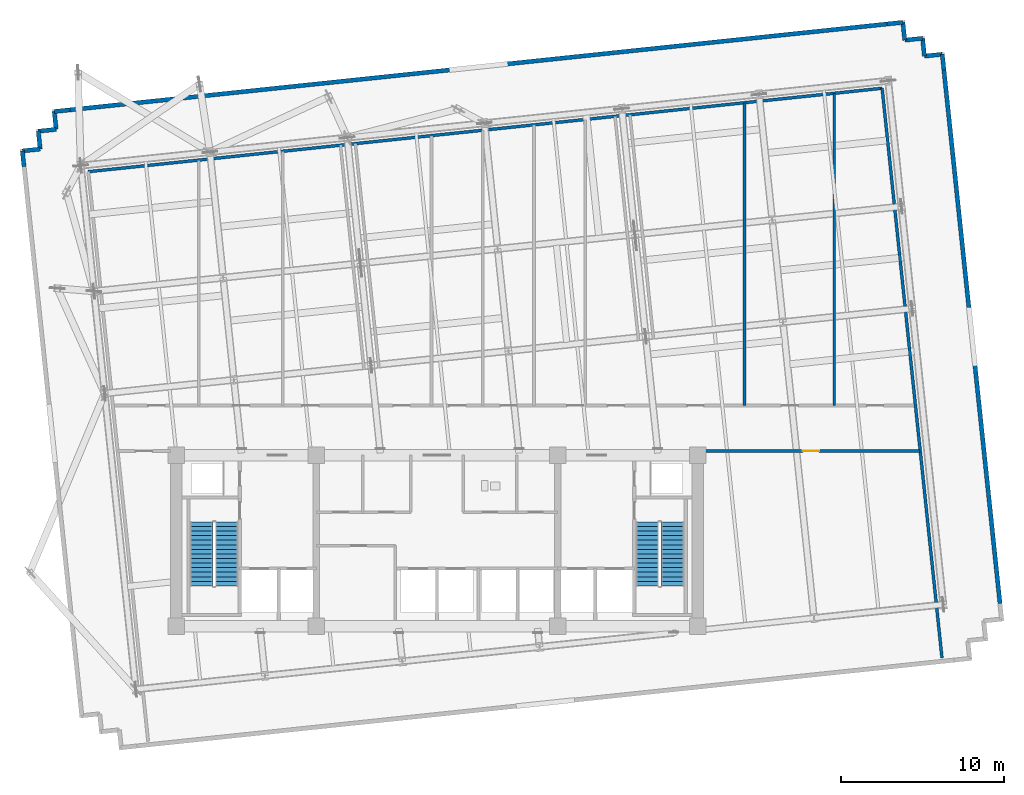
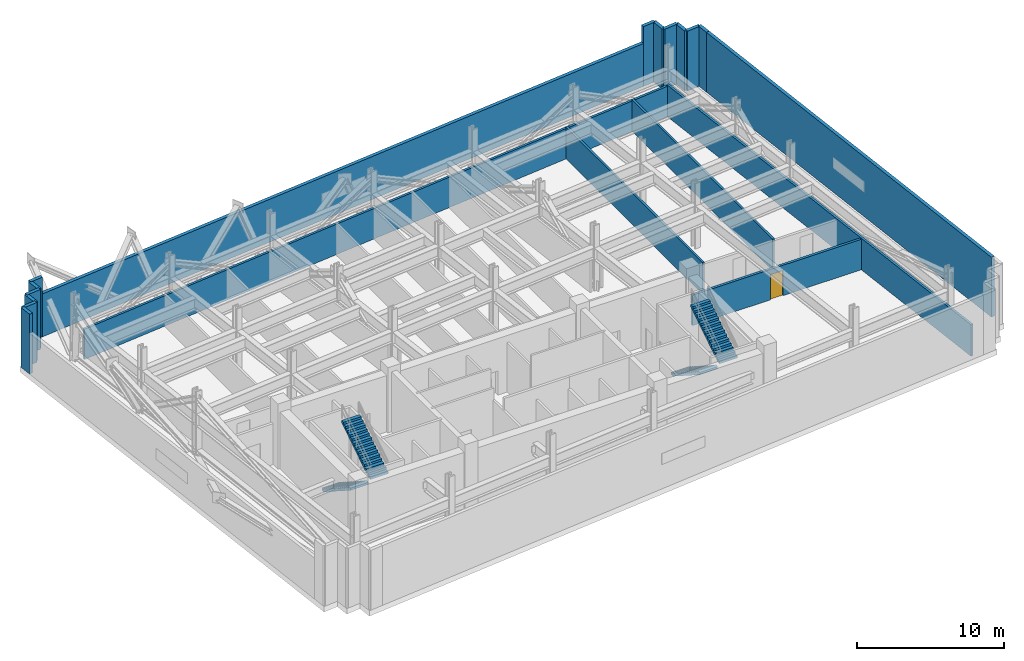
# One storey, part 8 of 11: 19 walls, 4 stair flights, 1 door, 1 opening, 2 elements without a shape of their own.
"""IFC4 building model written with IfcOpenShell, lengths in metres."""

from ifc_helpers import new_model, si_unit, direction, frame, frame_2d, origin, place, context, subcontext, project, spatial, polyline, rectangle, outline, extrude, material, layer, layer_set, type_object, element, fill, aggregate, save


model = new_model("IFC4")

# Units and contexts
model_context = context("Model", 3, precision=1e-05, world=origin(), true_north=direction((0.0, 1.0)))
body_context = subcontext(model_context, "Body", "Model", "MODEL_VIEW")
ifc_project = project(units=[si_unit("LENGTHUNIT", "METRE"), si_unit("AREAUNIT", "SQUARE_METRE"), si_unit("VOLUMEUNIT", "CUBIC_METRE"), si_unit("PLANEANGLEUNIT", "RADIAN"), si_unit("MASSUNIT", "GRAM", prefix="KILO")], contexts=[model_context])

# Site, building, storey
site_placement = place(None, origin())
site = spatial("IfcSite", under=ifc_project, at=site_placement, CompositionType="ELEMENT")
building_placement = place(site_placement, origin())
building = spatial("IfcBuilding", under=site, at=building_placement, Name="Solmavex Isthmus Hotel", CompositionType="ELEMENT")
storey_placement = place(building_placement, frame((0.0, 0.0, 130.5)))
storey = spatial("IfcBuildingStorey", under=building, at=storey_placement, Name="L35", CompositionType="ELEMENT", Elevation=130.5)

# Walls
ifc_material_1 = material(Name="Precast Concrete C40/50", Category="concrete")
ifc_layer_1 = layer(ifc_material_1, 0.260009765625)
ifc_layer_set_1 = layer_set([ifc_layer_1], Name="Precast Concrete C40/50")
wall_type_1 = type_object("IfcWallType", Name="EW-CRN-260", PredefinedType="STANDARD", material=ifc_layer_set_1)
wall_1_placement = place(storey_placement, frame((-25.333984375, 15.1943359375, 0.0), z_axis=(0.0, 0.0, 1.0), x_axis=(-0.104684784518, 0.994505452921, 0.0)))
element("IfcWall", 1, at=wall_1_placement, inside=storey, type_object=wall_type_1, Name="Plant Acoustic Louvre Enclosure Wall L35-08", PredefinedType="STANDARD", context=body_context, shape_type="SweptSolid", body=[
    extrude(rectangle(XDim=0.97021484375, YDim=0.260009765625, at=frame_2d((0.485107421875, 0.0))), origin(), (0.0, 0.0, 1.0), 4.949951171875),
])
for number, where, z_axis, x_axis, name in (
    (2, (-25.435546875, 16.1591796875, 0.0), (0.0, 0.0, 1.0), (0.994521251134, 0.104534592565, 0.0), "Plant Acoustic Louvre Enclosure Wall L35-09"),
    (3, (-24.341552734375, 16.274169921875, 0.0), (0.0, 0.0, 1.0), (-0.104534592565, 0.994521251134, 0.0), "Plant Acoustic Louvre Enclosure Wall L35-10"),
    (4, (-24.45654296875, 17.3681640625, 0.0), (0.0, 0.0, 1.0), (0.994521251134, 0.104534592565, 0.0), "Plant Acoustic Louvre Enclosure Wall L35-11"),
):
    element("IfcWall", number, at=place(storey_placement, frame(where, z_axis=z_axis, x_axis=x_axis)), inside=storey, type_object=wall_type_1, Name=name, PredefinedType="STANDARD", context=body_context, shape_type="SweptSolid", body=[
        extrude(rectangle(XDim=1.10009765625, YDim=0.260009765625, at=frame_2d((0.550048828125, 0.0))), origin(), (0.0, 0.0, 1.0), 4.949951171875),
    ])
wall_2_placement = place(storey_placement, frame((-23.362548828125, 17.483154296875, 0.0), z_axis=(0.0, 0.0, 1.0), x_axis=(-0.104557671117, 0.994518825066, 0.0)))
element("IfcWall", 5, at=wall_2_placement, inside=storey, type_object=wall_type_1, Name="Plant Acoustic Louvre Enclosure Wall L35-12", PredefinedType="STANDARD", context=body_context, shape_type="SweptSolid", body=[
    extrude(rectangle(XDim=1.099853515625, YDim=0.260009765625, at=frame_2d((0.5498046875, 0.0))), origin(), (0.0, 0.0, 1.0), 4.949951171875),
])
wall_3_placement = place(storey_placement, frame((-23.4775390625, 18.576904296875, 0.0), z_axis=(0.0, 0.0, 1.0), x_axis=(0.994505452921, 0.104684784518, 0.0)))
element("IfcWall", 6, at=wall_3_placement, inside=storey, type_object=wall_type_1, Name="Plant Acoustic Louvre Enclosure Wall L35-13", PredefinedType="STANDARD", context=body_context, shape_type="SweptSolid", body=[
    extrude(rectangle(XDim=0.97021484375, YDim=0.260009765625, at=frame_2d((0.485107421875, 0.0))), origin(), (0.0, 0.0, 1.0), 4.949951171875),
])
wall_4_placement = place(storey_placement, frame((-22.5126953125, 18.678466796875, 0.0), z_axis=(0.0, 0.0, 1.0), x_axis=(0.994522215246, 0.104525419789, 0.0)))
element("IfcWall", 7, at=wall_4_placement, inside=storey, type_object=wall_type_1, Name="Plant Acoustic Louvre Enclosure Wall L35-14", PredefinedType="STANDARD", context=body_context, shape_type="SweptSolid", body=[
    extrude(rectangle(XDim=50.39990234375, YDim=0.260009765625, at=frame_2d((25.199951171875, 0.0))), origin(), (0.0, 0.0, 1.0), 3.554931640625),
])
wall_5_placement = place(storey_placement, frame((27.611083984375, 23.946533203125, 0.0), z_axis=(0.0, 0.0, 1.0), x_axis=(0.99450269412, 0.104710989814, 0.0)))
element("IfcWall", 8, at=wall_5_placement, inside=storey, type_object=wall_type_1, Name="Plant Acoustic Louvre Enclosure Wall L35-15", PredefinedType="STANDARD", context=body_context, shape_type="SweptSolid", body=[
    extrude(rectangle(XDim=0.969970703125, YDim=0.260009765625, at=frame_2d((0.48486328125, 0.0))), origin(), (0.0, 0.0, 1.0), 4.949951171875),
])
for number, where, z_axis, x_axis, name in (
    (9, (28.57568359375, 24.048095703125, 0.0), (0.0, 0.0, 1.0), (0.104534592565, -0.994521251134, 0.0), "Plant Acoustic Louvre Enclosure Wall L35-16"),
    (10, (28.690673828125, 22.9541015625, 0.0), (0.0, 0.0, 1.0), (0.994521251134, 0.104534592565, 0.0), "Plant Acoustic Louvre Enclosure Wall L35-17"),
    (11, (29.78466796875, 23.069091796875, 0.0), (0.0, 0.0, 1.0), (0.104534592565, -0.994521251134, 0.0), "Plant Acoustic Louvre Enclosure Wall L35-18"),
    (12, (29.899658203125, 21.97509765625, 0.0), (0.0, 0.0, 1.0), (0.994521251134, 0.104534592565, 0.0), "Plant Acoustic Louvre Enclosure Wall L35-19"),
):
    element("IfcWall", number, at=place(storey_placement, frame(where, z_axis=z_axis, x_axis=x_axis)), inside=storey, type_object=wall_type_1, Name=name, PredefinedType="STANDARD", context=body_context, shape_type="SweptSolid", body=[
        extrude(rectangle(XDim=1.10009765625, YDim=0.260009765625, at=frame_2d((0.550048828125, 0.0))), origin(), (0.0, 0.0, 1.0), 4.949951171875),
    ])
wall_6_placement = place(storey_placement, frame((30.99365234375, 22.090087890625, 0.0), z_axis=(0.0, 0.0, 1.0), x_axis=(0.10443588634, -0.994531621239, 0.0)))
element("IfcWall", 13, at=wall_6_placement, inside=storey, type_object=wall_type_1, Name="Plant Acoustic Louvre Enclosure Wall L35-20", PredefinedType="STANDARD", context=body_context, shape_type="SweptSolid", body=[
    extrude(rectangle(XDim=0.97021484375, YDim=0.260009765625, at=frame_2d((0.485107421875, 0.0))), origin(), (0.0, 0.0, 1.0), 4.949951171875),
])
wall_7_placement = place(storey_placement, frame((31.094970703125, 21.125244140625, 0.0), z_axis=(0.0, 0.0, 1.0), x_axis=(0.104535291965, -0.99452117762, 0.0)))
element("IfcWall", 14, at=wall_7_placement, inside=storey, type_object=wall_type_1, Name="Plant Acoustic Louvre Enclosure Wall L35-21", PredefinedType="STANDARD", context=body_context, shape_type="SweptSolid", body=[
    extrude(rectangle(XDim=32.89990234375, YDim=0.260009765625, at=frame_2d((16.449951171875, 0.0))), origin(), (0.0, 0.0, 1.0), 4.949951171875),
])
ifc_material_2 = material(Name="Gypsum plasterboard lining", Category="gypsum")
ifc_layer_2 = layer(ifc_material_2, 0.159912109375)
ifc_layer_set_2 = layer_set([ifc_layer_2], Name="Gypsum plasterboard lining")
wall_type_2 = type_object("IfcWallType", Name="IW-COMP-160", PredefinedType="PARTITIONING", material=ifc_layer_set_2)
wall_8_placement = place(storey_placement, frame((18.860107421875, 0.550048828125, 0.0), z_axis=(0.0, 0.0, 1.0), x_axis=(0.0, 1.0, 0.0)))
element("IfcWall", 15, at=wall_8_placement, inside=storey, type_object=wall_type_2, Name="Interior Partition Wall W-L35-PX9", PredefinedType="PARTITIONING", context=body_context, shape_type="SweptSolid", body=[
    extrude(rectangle(XDim=18.545166015625, YDim=0.159912109375, at=frame_2d((9.2724609375, 0.0))), origin(), (0.0, 0.0, 1.0), 2.615966796875),
])
wall_9_placement = place(storey_placement, frame((24.3701171875, 0.550048828125, 0.0), z_axis=(0.0, 0.0, 1.0), x_axis=(0.0, 1.0, 0.0)))
element("IfcWall", 16, at=wall_9_placement, inside=storey, type_object=wall_type_2, Name="Interior Partition Wall W-L35-PX10", PredefinedType="PARTITIONING", context=body_context, shape_type="SweptSolid", body=[
    extrude(rectangle(XDim=19.12451171875, YDim=0.159912109375, at=frame_2d((9.562255859375, 0.0))), origin(), (0.0, 0.0, 1.0), 2.615966796875),
])
ifc_material_3 = material(Name="Concrete C40/50", Category="concrete")
ifc_layer_3 = layer(ifc_material_3, 0.179931640625)
ifc_layer_set_3 = layer_set([ifc_layer_3], Name="Concrete C40/50")
wall_type_3 = type_object("IfcWallType", Name="IW-SHAFT-180", PredefinedType="PARTITIONING", material=ifc_layer_set_3)
wall_10_placement = place(storey_placement, frame((-21.39013671875, 14.885009765625, 0.0), z_axis=(0.0, 0.0, 1.0), x_axis=(0.994521998468, 0.104527482335, 0.0)))
element("IfcWall", 17, at=wall_10_placement, inside=storey, type_object=wall_type_3, Name="Interior Partition Wall W-L35-BTN", PredefinedType="PARTITIONING", context=body_context, shape_type="SweptSolid", body=[
    extrude(rectangle(XDim=48.960205078125, YDim=0.179931640625, at=frame_2d((24.47998046875, 0.0))), origin(), (0.0, 0.0, 1.0), 2.518798828125),
])
wall_11_placement = place(storey_placement, frame((30.9736328125, -14.934814453125, 0.0), z_axis=(0.0, 0.0, 1.0), x_axis=(-0.104522713517, 0.994522499675, 0.0)))
element("IfcWall", 18, at=wall_11_placement, inside=storey, type_object=wall_type_3, Name="Interior Partition Wall W-L35-BTE", PredefinedType="PARTITIONING", context=body_context, shape_type="SweptSolid", body=[
    extrude(rectangle(XDim=35.1298828125, YDim=0.179931640625, at=frame_2d((17.56494140625, 0.0))), origin(), (0.0, 0.0, 1.0), 2.615966796875),
])

# Wall, opening, door
ifc_layer_4 = layer(ifc_material_3, 0.199951171875)
ifc_layer_set_4 = layer_set([ifc_layer_4], Name="Concrete C40/50")
wall_type_4 = type_object("IfcWallType", Name="IW-SHAFT-200", PredefinedType="PARTITIONING", material=ifc_layer_set_4)
wall_12_placement = place(storey_placement, frame((16.35009765625, -2.25, 0.0), z_axis=(0.0, 0.0, 1.0), x_axis=(1.0, 0.0, 0.0)))
wall_12 = element("IfcWall", 19, at=wall_12_placement, inside=storey, type_object=wall_type_4, Name="Interior Partition Wall W-L35-PSE", PredefinedType="PARTITIONING", context=body_context, shape_type="SweptSolid", body=[
    extrude(rectangle(XDim=13.270263671875, YDim=0.199951171875, at=frame_2d((6.63525390625, 0.0))), origin(), (0.0, 0.0, 1.0), 2.518798828125),
])
opening_placement = place(wall_12_placement, frame((6.094970703125, 0.0, 0.0)))
opening = element("IfcOpeningElement", 20, at=opening_placement, cuts=wall_12, Name="Opening ID-F100", PredefinedType="OPENING", context=body_context, shape_type="SweptSolid", body=[
    extrude(rectangle(XDim=1.0, YDim=2.10009765625, at=frame_2d((0.5, 1.050048828125))), frame((0.0, 0.10986328125, 0.0), z_axis=(0.0, -1.0, 0.0), x_axis=(1.0, 0.0, 0.0)), (0.0, 0.0, 1.0), 0.219970703125),
])
ifc_material_4 = material(Name="Steel ASTM A500 Grade C", Category="steel")
door_type = type_object("IfcDoorType", Name="IDR-FD90-1000", OperationType="NOTDEFINED", PredefinedType="DOOR", material=ifc_material_4)
door_placement = place(opening_placement, frame((1.0, 0.0, 0.0), z_axis=(0.0, 0.0, 1.0), x_axis=(-1.0, 0.0, 0.0)))
door = element("IfcDoor", 21, at=door_placement, inside=storey, type_object=door_type, Name="Emergency Telecom and BMS Plant Room Door L35", OperationType="SINGLE_SWING_RIGHT", OverallHeight=2.10009765625, OverallWidth=1.0, PredefinedType="DOOR", context=body_context, shape_type="SweptSolid", body=[
    extrude(rectangle(XDim=1.0, YDim=2.10009765625, at=frame_2d((0.5, 1.050048828125))), frame((0.0, 0.02490234375, 0.0), z_axis=(0.0, -1.0, 0.0), x_axis=(1.0, 0.0, 0.0)), (0.0, 0.0, 1.0), 0.050048828125),
])
fill(opening, door)

# Stair, stair flights
stair_type_1 = type_object("IfcStairType", Name="STR-ST-1", PredefinedType="HALF_TURN_STAIR", material=ifc_material_3)
stair_1_placement = place(storey_placement, origin())
stair_1 = element("IfcStair", 22, at=stair_1_placement, inside=storey, type_object=stair_type_1, Name="L35 Protected Exit Stair ST-1", PredefinedType="HALF_TURN_STAIR")
stair_flight_type_1 = type_object("IfcStairFlightType", Name="SFL-ST-1", PredefinedType="STRAIGHT", material=ifc_material_3)
stair_flight_1_placement = place(storey_placement, frame((-14.449951171875, -6.60009765625, 0.0), z_axis=(0.0, 0.0, 1.0), x_axis=(0.0, -1.0, 0.0)))
stair_flight_1 = element("IfcStairFlight", 23, at=stair_flight_1_placement, type_object=stair_flight_type_1, Name="ST-1 flight 1", NumberOfRisers=15, NumberOfTreads=14, PredefinedType="STRAIGHT", RiserHeight=0.18, TreadLength=0.28, context=body_context, shape_type="SweptSolid", body=[
    extrude(outline(polyline([(0.0, 0.0), (0.0, 0.179931640625), (0.280029296875, 0.179931640625), (0.280029296875, 0.360107421875), (0.56005859375, 0.360107421875), (0.56005859375, 0.5400390625), (0.840087890625, 0.5400390625), (0.840087890625, 0.719970703125), (1.1201171875, 0.719970703125), (1.1201171875, 0.89990234375), (1.39990234375, 0.89990234375), (1.39990234375, 1.080078125), (1.679931640625, 1.080078125), (1.679931640625, 1.260009765625), (1.9599609375, 1.260009765625), (1.9599609375, 1.43994140625), (2.239990234375, 1.43994140625), (2.239990234375, 1.6201171875), (2.52001953125, 1.6201171875), (2.52001953125, 1.800048828125), (2.800048828125, 1.800048828125), (2.800048828125, 1.97998046875), (3.080078125, 1.97998046875), (3.080078125, 2.159912109375), (3.360107421875, 2.159912109375), (3.360107421875, 2.340087890625), (3.639892578125, 2.340087890625), (3.639892578125, 2.52001953125), (3.919921875, 2.52001953125), (3.919921875, 2.699951171875), (3.919921875, 2.341796875), (0.277099609375, 0.0), (0.0, 0.0)])), frame((0.0, 0.699951171875, 0.0), z_axis=(0.0, -1.0, 0.0), x_axis=(1.0, 0.0, 0.0)), (0.0, 0.0, 1.0), 1.39990234375),
])
stair_flight_2_placement = place(storey_placement, frame((-12.89990234375, -10.52001953125, 2.699951171875), z_axis=(0.0, 0.0, 1.0), x_axis=(0.0, 1.0, 0.0)))
stair_flight_2 = element("IfcStairFlight", 24, at=stair_flight_2_placement, type_object=stair_flight_type_1, Name="ST-1 flight 2", NumberOfRisers=15, NumberOfTreads=14, PredefinedType="STRAIGHT", RiserHeight=0.18, TreadLength=0.28, context=body_context, shape_type="SweptSolid", body=[
    extrude(outline(polyline([(0.0, 0.0), (0.0, 0.179931640625), (0.280029296875, 0.179931640625), (0.280029296875, 0.360107421875), (0.56005859375, 0.360107421875), (0.56005859375, 0.5400390625), (0.840087890625, 0.5400390625), (0.840087890625, 0.719970703125), (1.1201171875, 0.719970703125), (1.1201171875, 0.89990234375), (1.39990234375, 0.89990234375), (1.39990234375, 1.080078125), (1.679931640625, 1.080078125), (1.679931640625, 1.260009765625), (1.9599609375, 1.260009765625), (1.9599609375, 1.43994140625), (2.239990234375, 1.43994140625), (2.239990234375, 1.6201171875), (2.52001953125, 1.6201171875), (2.52001953125, 1.800048828125), (2.800048828125, 1.800048828125), (2.800048828125, 1.97998046875), (3.080078125, 1.97998046875), (3.080078125, 2.159912109375), (3.360107421875, 2.159912109375), (3.360107421875, 2.340087890625), (3.639892578125, 2.340087890625), (3.639892578125, 2.52001953125), (3.919921875, 2.52001953125), (3.919921875, 2.699951171875), (3.919921875, 2.341796875), (0.277099609375, 0.0), (0.0, 0.0)])), frame((0.0, 0.699951171875, 0.0), z_axis=(0.0, -1.0, 0.0), x_axis=(1.0, 0.0, 0.0)), (0.0, 0.0, 1.0), 1.39990234375),
])
aggregate(stair_1, [stair_flight_1, stair_flight_2])

stair_type_2 = type_object("IfcStairType", Name="STR-ST-2", PredefinedType="HALF_TURN_STAIR", material=ifc_material_3)
stair_2_placement = place(storey_placement, origin())
stair_2 = element("IfcStair", 25, at=stair_2_placement, inside=storey, type_object=stair_type_2, Name="L35 Protected Exit Stair ST-2", PredefinedType="HALF_TURN_STAIR")
stair_flight_type_2 = type_object("IfcStairFlightType", Name="SFL-ST-2", PredefinedType="STRAIGHT", material=ifc_material_3)
stair_flight_3_placement = place(storey_placement, frame((12.89990234375, -6.60009765625, 0.0), z_axis=(0.0, 0.0, 1.0), x_axis=(0.0, -1.0, 0.0)))
stair_flight_3 = element("IfcStairFlight", 26, at=stair_flight_3_placement, type_object=stair_flight_type_2, Name="ST-2 flight 1", NumberOfRisers=15, NumberOfTreads=14, PredefinedType="STRAIGHT", RiserHeight=0.18, TreadLength=0.28, context=body_context, shape_type="SweptSolid", body=[
    extrude(outline(polyline([(0.0, 0.0), (0.0, 0.179931640625), (0.280029296875, 0.179931640625), (0.280029296875, 0.360107421875), (0.56005859375, 0.360107421875), (0.56005859375, 0.5400390625), (0.840087890625, 0.5400390625), (0.840087890625, 0.719970703125), (1.1201171875, 0.719970703125), (1.1201171875, 0.89990234375), (1.39990234375, 0.89990234375), (1.39990234375, 1.080078125), (1.679931640625, 1.080078125), (1.679931640625, 1.260009765625), (1.9599609375, 1.260009765625), (1.9599609375, 1.43994140625), (2.239990234375, 1.43994140625), (2.239990234375, 1.6201171875), (2.52001953125, 1.6201171875), (2.52001953125, 1.800048828125), (2.800048828125, 1.800048828125), (2.800048828125, 1.97998046875), (3.080078125, 1.97998046875), (3.080078125, 2.159912109375), (3.360107421875, 2.159912109375), (3.360107421875, 2.340087890625), (3.639892578125, 2.340087890625), (3.639892578125, 2.52001953125), (3.919921875, 2.52001953125), (3.919921875, 2.699951171875), (3.919921875, 2.341796875), (0.277099609375, 0.0), (0.0, 0.0)])), frame((0.0, 0.699951171875, 0.0), z_axis=(0.0, -1.0, 0.0), x_axis=(1.0, 0.0, 0.0)), (0.0, 0.0, 1.0), 1.39990234375),
])
stair_flight_4_placement = place(storey_placement, frame((14.449951171875, -10.52001953125, 2.699951171875), z_axis=(0.0, 0.0, 1.0), x_axis=(0.0, 1.0, 0.0)))
stair_flight_4 = element("IfcStairFlight", 27, at=stair_flight_4_placement, type_object=stair_flight_type_2, Name="ST-2 flight 2", NumberOfRisers=15, NumberOfTreads=14, PredefinedType="STRAIGHT", RiserHeight=0.18, TreadLength=0.28, context=body_context, shape_type="SweptSolid", body=[
    extrude(outline(polyline([(0.0, 0.0), (0.0, 0.179931640625), (0.280029296875, 0.179931640625), (0.280029296875, 0.360107421875), (0.56005859375, 0.360107421875), (0.56005859375, 0.5400390625), (0.840087890625, 0.5400390625), (0.840087890625, 0.719970703125), (1.1201171875, 0.719970703125), (1.1201171875, 0.89990234375), (1.39990234375, 0.89990234375), (1.39990234375, 1.080078125), (1.679931640625, 1.080078125), (1.679931640625, 1.260009765625), (1.9599609375, 1.260009765625), (1.9599609375, 1.43994140625), (2.239990234375, 1.43994140625), (2.239990234375, 1.6201171875), (2.52001953125, 1.6201171875), (2.52001953125, 1.800048828125), (2.800048828125, 1.800048828125), (2.800048828125, 1.97998046875), (3.080078125, 1.97998046875), (3.080078125, 2.159912109375), (3.360107421875, 2.159912109375), (3.360107421875, 2.340087890625), (3.639892578125, 2.340087890625), (3.639892578125, 2.52001953125), (3.919921875, 2.52001953125), (3.919921875, 2.699951171875), (3.919921875, 2.341796875), (0.277099609375, 0.0), (0.0, 0.0)])), frame((0.0, 0.699951171875, 0.0), z_axis=(0.0, -1.0, 0.0), x_axis=(1.0, 0.0, 0.0)), (0.0, 0.0, 1.0), 1.39990234375),
])
aggregate(stair_2, [stair_flight_3, stair_flight_4])

save(model, "model.ifc")
